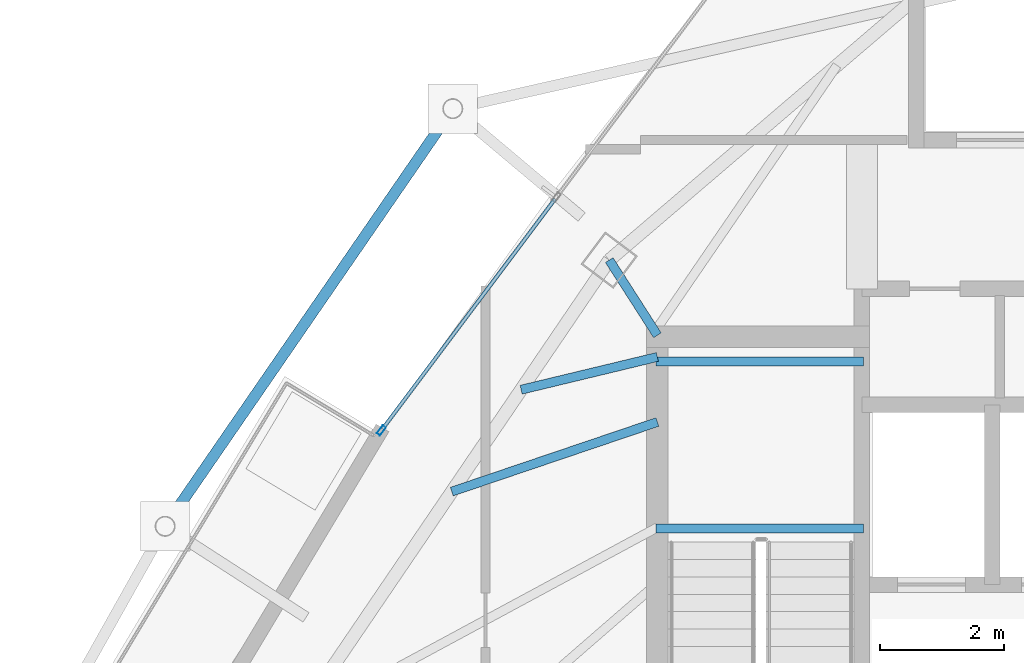
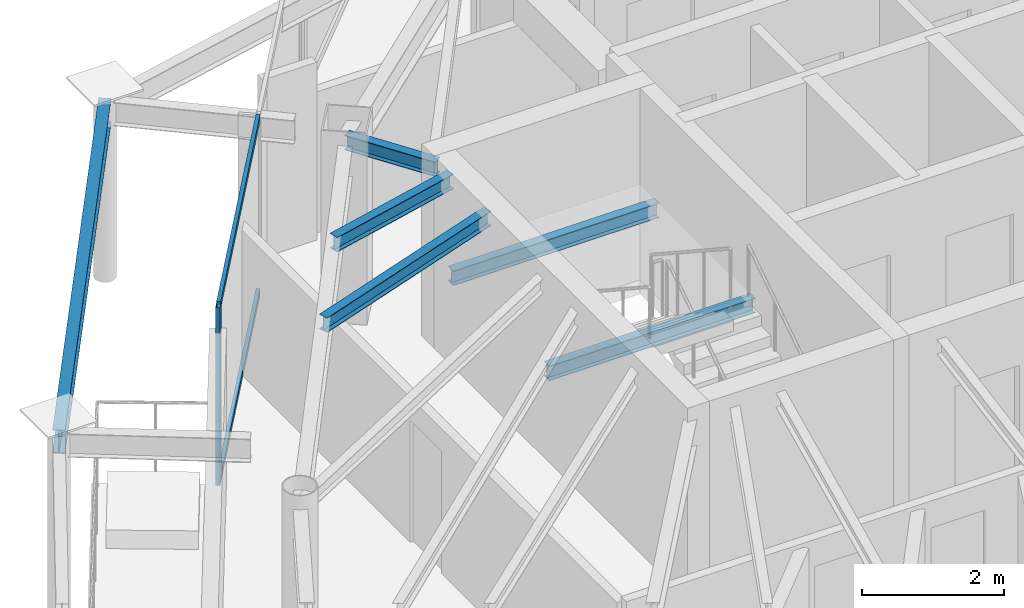
# One storey, part 12 of 28: 6 beams, 3 members, 1 element without a shape of its own.
"""IFC4 building model written with IfcOpenShell, lengths in metres."""

from ifc_helpers import new_model, si_unit, direction, frame, origin, origin_2d, place, context, subcontext, project, spatial, hollow_rectangle, i_section, extrude, material, layer, layer_set, material_profile, profile_set, type_object, element, aggregate, save


model = new_model("IFC4")

# Units and contexts
model_context = context("Model", 3, precision=1e-05, world=origin(), true_north=direction((0.0, 1.0)))
body_context = subcontext(model_context, "Body", "Model", "MODEL_VIEW")
ifc_project = project(units=[si_unit("LENGTHUNIT", "METRE"), si_unit("AREAUNIT", "SQUARE_METRE"), si_unit("VOLUMEUNIT", "CUBIC_METRE"), si_unit("PLANEANGLEUNIT", "RADIAN"), si_unit("MASSUNIT", "GRAM", prefix="KILO")], contexts=[model_context])

# Site, building, storey
site_placement = place(None, origin())
site = spatial("IfcSite", under=ifc_project, at=site_placement, CompositionType="ELEMENT")
building_placement = place(site_placement, origin())
building = spatial("IfcBuilding", under=site, at=building_placement, Name="Orvanel Arch Residences", CompositionType="ELEMENT")
storey_placement = place(building_placement, frame((0.0, 0.0, 266.75)))
storey = spatial("IfcBuildingStorey", under=building, at=storey_placement, Name="L76", CompositionType="ELEMENT", Elevation=266.75)

# Beams
ifc_material_1 = material(Name="Structural steel AS/NZS 3679.1 Grade 300 (300 MPa)", Category="steel")
ifc_material_profile_1 = material_profile(ifc_material_1, i_section(OverallWidth=0.14599609375, OverallDepth=0.251953125, WebThickness=0.006103515625, FlangeThickness=0.008544921875, at=origin_2d()), Name="250UB31.4")
ifc_profile_set_1 = profile_set([ifc_material_profile_1], Name="Structural steel AS/NZS 3679.1 Grade 300 (300 MPa)")
beam_type_1 = type_object("IfcBeamType", Name="BJ-250UB", PredefinedType="JOIST", material=ifc_profile_set_1)
for number, where, z_axis, x_axis, name in (
    (1, (26.39990234375, 30.780029296875, 1.323974609375), (1.0, 0.0, 0.0), (0.0, 1.0, 0.0), "L76 ST-1 Half-Landing Support Beam 1.1"),
    (2, (26.39990234375, 33.47998046875, 1.323974609375), (1.0, 0.0, 0.0), (0.0, 1.0, 0.0), "L76 ST-1 Half-Landing Support Beam 1.2"),
):
    element("IfcBeam", number, at=place(storey_placement, frame(where, z_axis=z_axis, x_axis=x_axis)), inside=storey, type_object=beam_type_1, Name=name, PredefinedType="JOIST", context=body_context, shape_type="SweptSolid", body=[
        extrude(i_section(OverallWidth=0.14599609375, OverallDepth=0.251953125, WebThickness=0.006103515625, FlangeThickness=0.008544921875, at=origin_2d()), origin(), (0.0, 0.0, 1.0), 3.35009765625),
    ])
beam_1_placement = place(storey_placement, frame((26.425048828125, 33.89990234375, 2.93408203125), z_axis=(-0.539395075146, 0.842052820735, 0.0), x_axis=(-0.842052820735, -0.539395075146, 0.0)))
element("IfcBeam", 3, at=beam_1_placement, inside=storey, type_object=beam_type_1, Name="L76 NNW Wing Floor Joist", PredefinedType="JOIST", context=body_context, shape_type="SweptSolid", body=[
    extrude(i_section(OverallWidth=0.14599609375, OverallDepth=0.251953125, WebThickness=0.006103515625, FlangeThickness=0.008544921875, at=origin_2d()), origin(), (0.0, 0.0, 1.0), 1.440673828125),
])
beam_2_placement = place(storey_placement, frame((26.425048828125, 32.5, 2.93408203125), z_axis=(-0.947187956478, -0.320678928373, 0.0), x_axis=(0.320678928373, -0.947187956478, 0.0)))
element("IfcBeam", 4, at=beam_2_placement, inside=storey, type_object=beam_type_1, Name="L76 WNW Wing Floor Joist", PredefinedType="JOIST", context=body_context, shape_type="SweptSolid", body=[
    extrude(i_section(OverallWidth=0.14599609375, OverallDepth=0.251953125, WebThickness=0.006103515625, FlangeThickness=0.008544921875, at=origin_2d()), origin(), (0.0, 0.0, 1.0), 3.502197265625),
])
beam_3_placement = place(storey_placement, frame((26.425048828125, 33.550048828125, 2.93408203125), z_axis=(-0.972256833016, -0.23391590509, 0.0), x_axis=(0.23391590509, -0.972256833016, 0.0)))
element("IfcBeam", 5, at=beam_3_placement, inside=storey, type_object=beam_type_1, Name="L76 JADD3 Wing Floor Joist", PredefinedType="JOIST", context=body_context, shape_type="SweptSolid", body=[
    extrude(i_section(OverallWidth=0.14599609375, OverallDepth=0.251953125, WebThickness=0.006103515625, FlangeThickness=0.008544921875, at=origin_2d()), origin(), (0.0, 0.0, 1.0), 2.26171875),
])

# Curtain wall, member
ifc_material_2 = material(Name="Bronze-anodised aluminium AA6063-T6", Category="aluminium")
ifc_layer = layer(ifc_material_2, 0.175048828125)
ifc_layer_set = layer_set([ifc_layer], Name="Bronze-anodised aluminium AA6063-T6")
curtain_wall_type = type_object("IfcCurtainWallType", Name="CW4-HI-SYS", PredefinedType="NOTDEFINED", material=ifc_layer_set)
curtain_wall_placement = place(storey_placement, origin())
curtain_wall = element("IfcCurtainWall", 6, at=curtain_wall_placement, inside=storey, type_object=curtain_wall_type, Name="L76 CW4-HI-SYS Unitised Curtain Wall", PredefinedType="NOTDEFINED")
ifc_material_profile_2 = material_profile(ifc_material_2, hollow_rectangle(XDim=0.06494140625, YDim=0.159912109375, WallThickness=0.00390625, at=origin_2d()), Name="ALU160x65x4")
ifc_profile_set_2 = profile_set([ifc_material_profile_2], Name="Bronze-anodised aluminium AA6063-T6")
member_type_1 = type_object("IfcMemberType", Name="MUL-160x65", PredefinedType="MULLION", material=ifc_profile_set_2)
member_1_placement = place(storey_placement, frame((21.969482421875, 32.363037109375, 0.0), z_axis=(0.0, 0.0, 1.0), x_axis=(0.799771978749, -0.60030390804, 0.0)))
member_1 = element("IfcMember", 7, at=member_1_placement, type_object=member_type_1, Name="CW-S4 mullion 3", PredefinedType="MULLION", context=body_context, shape_type="SweptSolid", body=[
    extrude(hollow_rectangle(XDim=0.06494140625, YDim=0.159912109375, WallThickness=0.00390625, at=origin_2d()), origin(), (0.0, 0.0, 1.0), 3.06005859375),
])

# Beam
ifc_material_profile_3 = material_profile(ifc_material_1, i_section(OverallWidth=0.177978515625, OverallDepth=0.406005859375, WebThickness=0.0078125, FlangeThickness=0.0126953125, at=origin_2d()), Name="410UB59.7")
ifc_profile_set_3 = profile_set([ifc_material_profile_3], Name="Structural steel AS/NZS 3679.1 Grade 300 (300 MPa)")
beam_type_2 = type_object("IfcBeamType", Name="OB-410UB-EXT", PredefinedType="SPANDREL", material=ifc_profile_set_3)
beam_4_placement = place(storey_placement, frame((23.123046875, 37.556884765625, 2.85693359375), z_axis=(-0.567221162868, -0.823565511902, 0.0), x_axis=(0.823565511902, -0.567221162868, 0.0)))
element("IfcBeam", 8, at=beam_4_placement, inside=storey, type_object=beam_type_2, Name="L76 Outer Perimeter Floor Ring Beam 01", PredefinedType="SPANDREL", context=body_context, shape_type="SweptSolid", body=[
    extrude(i_section(OverallWidth=0.177978515625, OverallDepth=0.406005859375, WebThickness=0.0078125, FlangeThickness=0.0126953125, at=origin_2d()), origin(), (0.0, 0.0, 1.0), 8.183837890625),
])

# Member
ifc_material_profile_4 = material_profile(ifc_material_2, hollow_rectangle(XDim=0.06005859375, YDim=0.1201171875, WallThickness=0.00341796875, at=origin_2d()), Name="ALU120x60x3.5")
ifc_profile_set_4 = profile_set([ifc_material_profile_4], Name="Bronze-anodised aluminium AA6063-T6")
member_type_2 = type_object("IfcMemberType", Name="TRN-120x60", PredefinedType="USERDEFINED", material=ifc_profile_set_4)
member_2_placement = place(storey_placement, frame((24.7744140625, 36.10009765625, 0.030029296875), z_axis=(-0.600277767892, -0.799791598714, 0.0), x_axis=(0.799791598714, -0.600277767892, 0.0)))
member_2 = element("IfcMember", 9, at=member_2_placement, type_object=member_type_2, Name="CW-S4 transom 2.1", ObjectType="TRANSOM", PredefinedType="USERDEFINED", context=body_context, shape_type="SweptSolid", body=[
    extrude(hollow_rectangle(XDim=0.06005859375, YDim=0.1201171875, WallThickness=0.00341796875, at=origin_2d()), origin(), (0.0, 0.0, 1.0), 4.64013671875),
])

member_3_placement = place(storey_placement, frame((24.7744140625, 36.10009765625, 3.030029296875), z_axis=(-0.600277767892, -0.799791598714, 0.0), x_axis=(0.799791598714, -0.600277767892, 0.0)))
member_3 = element("IfcMember", 10, at=member_3_placement, type_object=member_type_2, Name="CW-S4 transom 2.2", ObjectType="TRANSOM", PredefinedType="USERDEFINED", context=body_context, shape_type="SweptSolid", body=[
    extrude(hollow_rectangle(XDim=0.06005859375, YDim=0.1201171875, WallThickness=0.00341796875, at=origin_2d()), origin(), (0.0, 0.0, 1.0), 4.64013671875),
])

aggregate(curtain_wall, [member_1, member_2, member_3])

save(model, "model.ifc")
